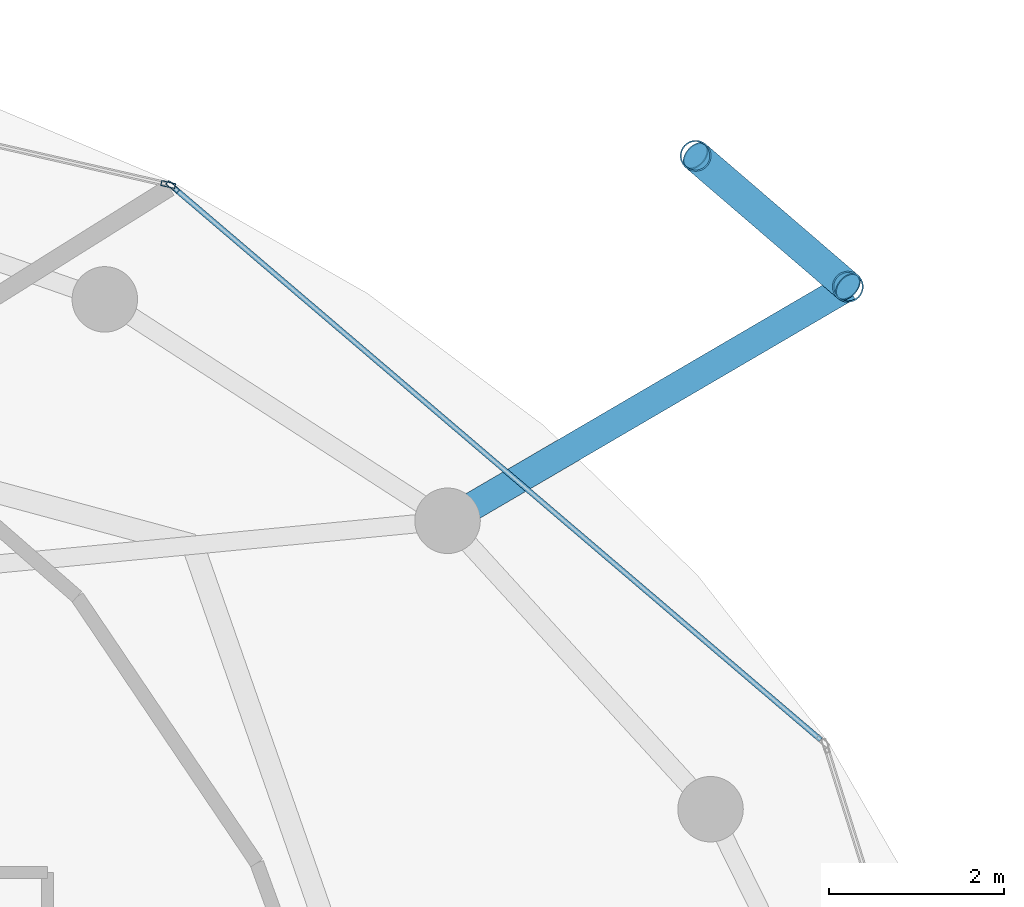
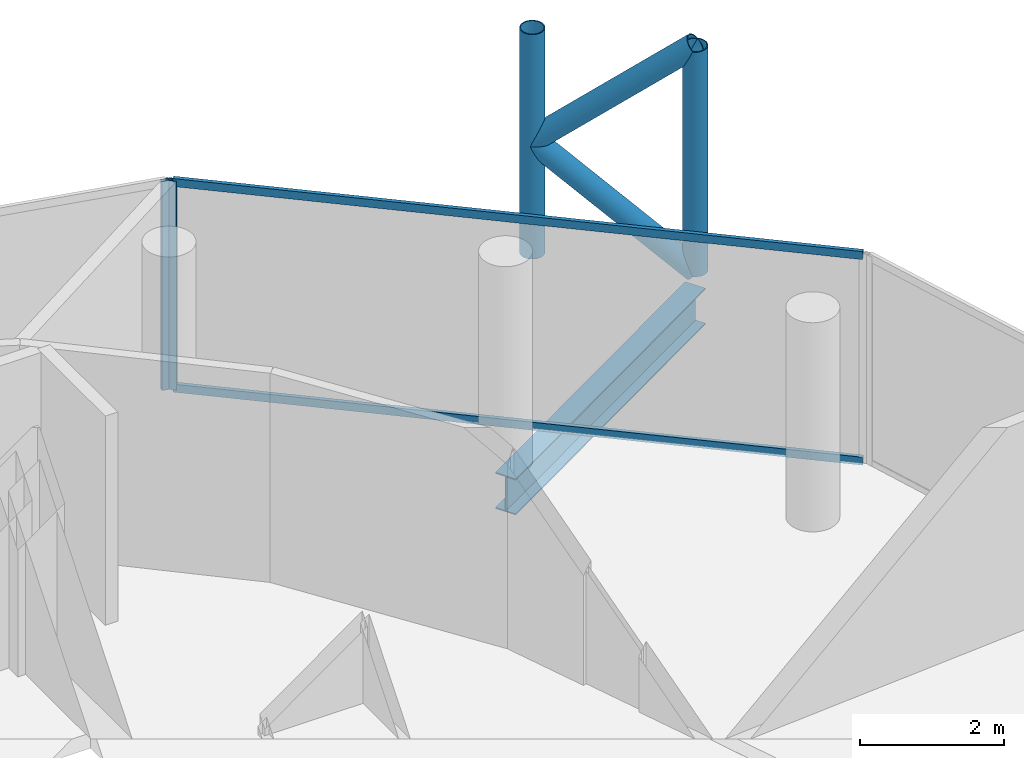
# One storey, part 18 of 24: 8 members, 1 beam, 2 elements without a shape of their own.
"""IFC4 building model written with IfcOpenShell, lengths in metres."""

from ifc_helpers import new_model, si_unit, direction, frame, origin, origin_2d, place, context, subcontext, project, spatial, hollow_rectangle, hollow_circle, i_section, extrude, material, layer, layer_set, material_profile, profile_set, type_object, element, aggregate, save


model = new_model("IFC4")

# Units and contexts
model_context = context("Model", 3, precision=1e-05, world=origin(), true_north=direction((0.0, 1.0)))
body_context = subcontext(model_context, "Body", "Model", "MODEL_VIEW")
ifc_project = project(units=[si_unit("LENGTHUNIT", "METRE"), si_unit("AREAUNIT", "SQUARE_METRE"), si_unit("VOLUMEUNIT", "CUBIC_METRE"), si_unit("PLANEANGLEUNIT", "RADIAN"), si_unit("MASSUNIT", "GRAM", prefix="KILO")], contexts=[model_context])

# Site, building, storey
site_placement = place(None, origin())
site = spatial("IfcSite", under=ifc_project, at=site_placement, CompositionType="ELEMENT")
building_placement = place(site_placement, origin())
building = spatial("IfcBuilding", under=site, at=building_placement, Name="Nuhasar Tower", CompositionType="ELEMENT")
storey_placement = place(building_placement, frame((0.0, 0.0, 278.39990234375)))
storey = spatial("IfcBuildingStorey", under=building, at=storey_placement, Name="L69", CompositionType="ELEMENT", Elevation=278.39990234375)

# Beam
ifc_material_1 = material(Name="Steel S355", Category="steel")
ifc_material_profile_1 = material_profile(ifc_material_1, i_section(OverallWidth=0.323974609375, OverallDepth=0.611083984375, WebThickness=0.0126953125, FlangeThickness=0.01904296875, at=origin_2d()), Name="W24X104")
ifc_profile_set_1 = profile_set([ifc_material_profile_1], Name="Steel S355")
beam_type = type_object("IfcBeamType", Name="BM-TIE-W24X104", PredefinedType="BEAM", material=ifc_profile_set_1)
beam_placement = place(storey_placement, frame((52.39990234375, 38.077880859375, -0.56591796875), z_axis=(0.863271521286, 0.504739814693, 0.0), x_axis=(-0.504739814693, 0.863271521286, 0.0)))
element("IfcBeam", 1, at=beam_placement, inside=storey, type_object=beam_type, Name="L69 Exoskeleton Node Tie Beam 02", PredefinedType="BEAM", context=body_context, shape_type="SweptSolid", body=[
    extrude(i_section(OverallWidth=0.323974609375, OverallDepth=0.611083984375, WebThickness=0.0126953125, FlangeThickness=0.01904296875, at=origin_2d()), origin(), (0.0, 0.0, 1.0), 5.31005859375),
])

# Curtain wall, member
ifc_material_2 = material(Name="Aluminium 6063-T6", Category="aluminium")
ifc_layer = layer(ifc_material_2, 0.18994140625)
ifc_layer_set = layer_set([ifc_layer], Name="Aluminium 6063-T6")
curtain_wall_type = type_object("IfcCurtainWallType", Name="CW-Z4-PEN", PredefinedType="NOTDEFINED", material=ifc_layer_set)
curtain_wall_1_placement = place(storey_placement, origin())
curtain_wall_1 = element("IfcCurtainWall", 2, at=curtain_wall_1_placement, inside=storey, type_object=curtain_wall_type, Name="L69 Unitised Curtain Wall 02", PredefinedType="NOTDEFINED")
ifc_material_profile_2 = material_profile(ifc_material_2, hollow_rectangle(XDim=0.06005859375, YDim=0.1650390625, WallThickness=0.0048828125, at=origin_2d()), Name="CWM-5")
ifc_profile_set_2 = profile_set([ifc_material_profile_2], Name="Aluminium 6063-T6")
member_type_1 = type_object("IfcMemberType", Name="CW-MUL-S5", PredefinedType="MULLION", material=ifc_profile_set_2)
member_1_placement = place(storey_placement, frame((49.2529296875, 41.901611328125, 0.0), z_axis=(0.0, 0.0, 1.0), x_axis=(-0.649141996205, -0.760667252327, 0.0)))
member_1 = element("IfcMember", 3, at=member_1_placement, type_object=member_type_1, Name="CW-Z4 mullion 2", PredefinedType="MULLION", context=body_context, shape_type="SweptSolid", body=[
    extrude(hollow_rectangle(XDim=0.06005859375, YDim=0.1650390625, WallThickness=0.0048828125, at=origin_2d()), origin(), (0.0, 0.0, 1.0), 3.5400390625),
])

curtain_wall_2_placement = place(storey_placement, origin())
curtain_wall_2 = element("IfcCurtainWall", 4, at=curtain_wall_2_placement, inside=storey, type_object=curtain_wall_type, Name="L69 Unitised Curtain Wall 03", PredefinedType="NOTDEFINED")
member_2_placement = place(storey_placement, frame((49.20068359375, 41.927734375, 0.0), z_axis=(0.0, 0.0, 1.0), x_axis=(-0.222889487645, -0.97484371891, 0.0)))
member_2 = element("IfcMember", 5, at=member_2_placement, type_object=member_type_1, Name="CW-Z4 mullion 1", PredefinedType="MULLION", context=body_context, shape_type="SweptSolid", body=[
    extrude(hollow_rectangle(XDim=0.06005859375, YDim=0.1650390625, WallThickness=0.0048828125, at=origin_2d()), origin(), (0.0, 0.0, 1.0), 3.5400390625),
])
aggregate(curtain_wall_2, [member_2])

# Member
ifc_material_profile_3 = material_profile(ifc_material_2, hollow_rectangle(XDim=0.06005859375, YDim=0.135009765625, WallThickness=0.00439453125, at=origin_2d()), Name="CWT-5")
ifc_profile_set_3 = profile_set([ifc_material_profile_3], Name="Aluminium 6063-T6")
member_type_2 = type_object("IfcMemberType", Name="CW-TRN-S5", PredefinedType="USERDEFINED", material=ifc_profile_set_3)
member_3_placement = place(storey_placement, frame((56.67333984375, 35.56884765625, 0.030029296875), z_axis=(-0.760660035709, 0.649150452573, 0.0), x_axis=(-0.649150452573, -0.760660035709, 0.0)))
member_3 = element("IfcMember", 6, at=member_3_placement, type_object=member_type_2, Name="CW-Z4 transom 1.1", ObjectType="TRANSOM", PredefinedType="USERDEFINED", context=body_context, shape_type="SweptSolid", body=[
    extrude(hollow_rectangle(XDim=0.06005859375, YDim=0.135009765625, WallThickness=0.00439453125, at=origin_2d()), origin(), (0.0, 0.0, 1.0), 9.725341796875),
])

member_4_placement = place(storey_placement, frame((56.67333984375, 35.56884765625, 3.510009765625), z_axis=(-0.760660035709, 0.649150452573, 0.0), x_axis=(-0.649150452573, -0.760660035709, 0.0)))
member_4 = element("IfcMember", 7, at=member_4_placement, type_object=member_type_2, Name="CW-Z4 transom 1.2", ObjectType="TRANSOM", PredefinedType="USERDEFINED", context=body_context, shape_type="SweptSolid", body=[
    extrude(hollow_rectangle(XDim=0.06005859375, YDim=0.135009765625, WallThickness=0.00439453125, at=origin_2d()), origin(), (0.0, 0.0, 1.0), 9.725341796875),
])

aggregate(curtain_wall_1, [member_1, member_3, member_4])

# Members
ifc_material_3 = material(Name="Steel S460", Category="steel")
ifc_material_profile_4 = material_profile(ifc_material_3, hollow_circle(Radius=0.177734375, WallThickness=0.015869140625, at=origin_2d()), Name="HSS355.6X15.9")
ifc_profile_set_4 = profile_set([ifc_material_profile_4], Name="Steel S460")
member_type_3 = type_object("IfcMemberType", Name="EXO-BRONZE-356", PredefinedType="BRACE", material=ifc_profile_set_4)
for number, where, z_axis, x_axis, name in (
    (8, (56.98388671875, 40.758056640625, 0.0), (0.0, 0.0, 1.0), (1.0, 0.0, 0.0), "L69 Exoskeleton Chord Column EC-02A"),
    (9, (55.239990234375, 42.257080078125, 0.0), (0.0, 0.0, 1.0), (1.0, 0.0, 0.0), "L69 Exoskeleton Chord Column EC-02B"),
):
    element("IfcMember", number, at=place(storey_placement, frame(where, z_axis=z_axis, x_axis=x_axis)), inside=storey, type_object=member_type_3, Name=name, PredefinedType="BRACE", context=body_context, shape_type="SweptSolid", body=[
        extrude(hollow_circle(Radius=0.177734375, WallThickness=0.015869140625, at=origin_2d()), origin(), (0.0, 0.0, 1.0), 3.800048828125),
    ])
member_5_placement = place(storey_placement, frame((56.98388671875, 40.758056640625, 0.0), z_axis=(-0.584594747408, 0.50250759472, 0.636973389203), x_axis=(-0.65185738425, -0.758341579104, 0.0)))
element("IfcMember", 10, at=member_5_placement, inside=storey, type_object=member_type_3, Name="L69 Bronze Diagrid Brace W1-02", PredefinedType="BRACE", context=body_context, shape_type="SweptSolid", body=[
    extrude(hollow_circle(Radius=0.177734375, WallThickness=0.015869140625, at=origin_2d()), origin(), (0.0, 0.0, 1.0), 2.983154296875),
])
member_6_placement = place(storey_placement, frame((55.239990234375, 42.257080078125, 1.900146484375), z_axis=(0.584625223306, -0.502533791278, 0.636924749792), x_axis=(0.65185738425, 0.758341579104, 0.0)))
element("IfcMember", 11, at=member_6_placement, inside=storey, type_object=member_type_3, Name="L69 Bronze Diagrid Brace W2-02", PredefinedType="BRACE", context=body_context, shape_type="SweptSolid", body=[
    extrude(hollow_circle(Radius=0.177734375, WallThickness=0.015869140625, at=origin_2d()), origin(), (0.0, 0.0, 1.0), 2.98291015625),
])

save(model, "model.ifc")
